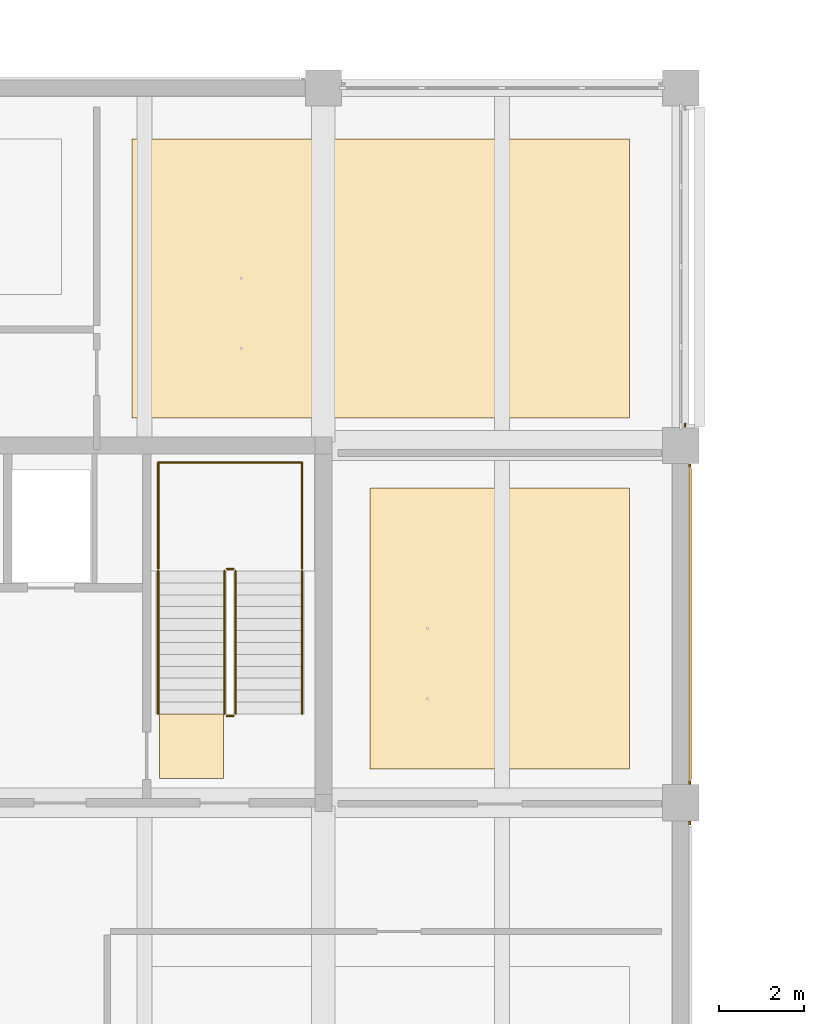
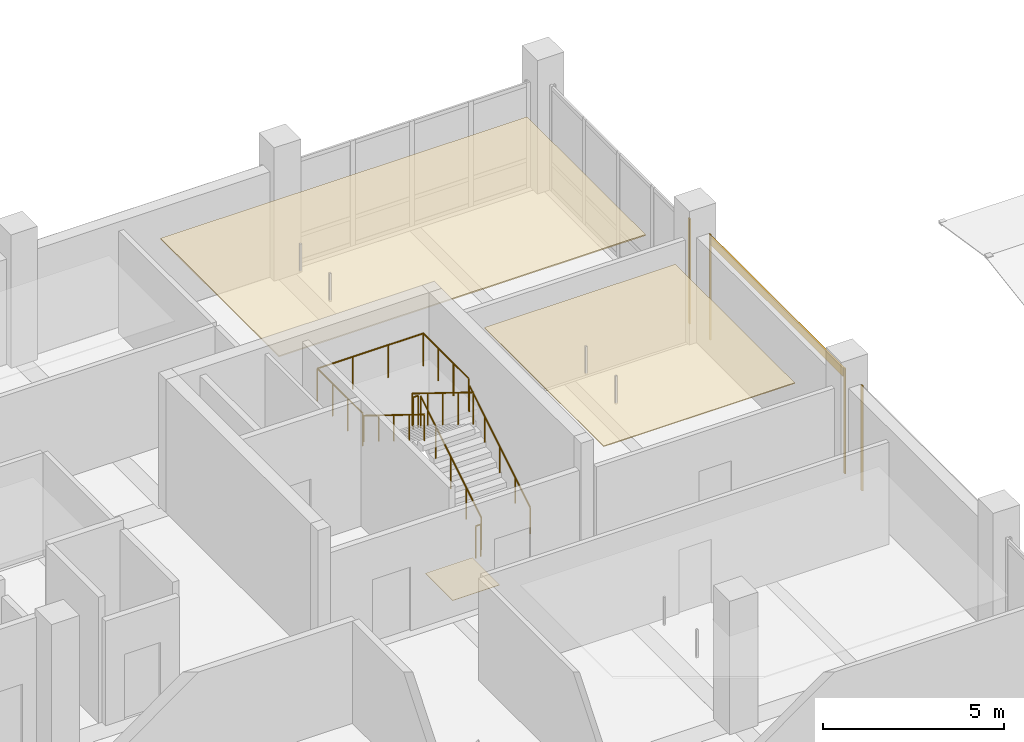
# One storey, part 38 of 39: 8 coverings, 7 railings.
"""IFC4 building model written with IfcOpenShell, lengths in metres."""

from ifc_helpers import new_model, si_unit, direction, frame, origin, origin_2d, place, context, subcontext, project, spatial, polyline, rectangle, circle, outline, extrude, material, layer, layer_set, type_object, element, save


model = new_model("IFC4")

# Units and contexts
model_context = context("Model", 3, precision=1e-05, world=origin(), true_north=direction((0.0, 1.0)))
body_context = subcontext(model_context, "Body", "Model", "MODEL_VIEW")
ifc_project = project(units=[si_unit("LENGTHUNIT", "METRE"), si_unit("AREAUNIT", "SQUARE_METRE"), si_unit("VOLUMEUNIT", "CUBIC_METRE"), si_unit("PLANEANGLEUNIT", "RADIAN"), si_unit("MASSUNIT", "GRAM", prefix="KILO")], contexts=[model_context])

# Site, building, storey
site_placement = place(None, origin())
site = spatial("IfcSite", under=ifc_project, at=site_placement, CompositionType="ELEMENT")
building_placement = place(site_placement, origin())
building = spatial("IfcBuilding", under=site, at=building_placement, Name="Telukmera Botanical Conservatory", CompositionType="ELEMENT")
storey_placement = place(building_placement, frame((0.0, 0.0, 19.5)))
storey = spatial("IfcBuildingStorey", under=building, at=storey_placement, Name="L04", CompositionType="ELEMENT", Elevation=19.5)

# Coverings
ifc_material_1 = material(Name="Mineral fibre acoustic ceiling")
ifc_layer_1 = layer(ifc_material_1, 0.030029296875)
ifc_layer_set_1 = layer_set([ifc_layer_1], Name="Mineral fibre acoustic ceiling")
covering_type_1 = type_object("IfcCoveringType", Name="COV-CEIL-30", PredefinedType="CEILING", material=ifc_layer_set_1)
covering_1_placement = place(storey_placement, frame((0.0, 0.0, 3.320068359375)))
element("IfcCovering", 1, at=covering_1_placement, inside=storey, type_object=covering_type_1, Name="L04 Herbarium Digitization Studio Suspended Acoustic Ceiling", PredefinedType="CEILING", context=body_context, shape_type="SweptSolid", body=[
    extrude(outline(polyline([(101.89990234375, 26.800048828125), (108.0, 26.800048828125), (108.0, 33.39990234375), (101.89990234375, 33.39990234375), (101.89990234375, 26.800048828125)])), origin(), (0.0, 0.0, 1.0), 0.030029296875),
])
ifc_material_2 = material(Name="Perforated gypsum acoustic ceiling")
ifc_layer_2 = layer(ifc_material_2, 0.0400390625)
ifc_layer_set_2 = layer_set([ifc_layer_2], Name="Perforated gypsum acoustic ceiling")
covering_type_2 = type_object("IfcCoveringType", Name="COV-CEIL-40", PredefinedType="CEILING", material=ifc_layer_set_2)
covering_2_placement = place(storey_placement, frame((0.0, 0.0, 3.31005859375)))
element("IfcCovering", 2, at=covering_2_placement, inside=storey, type_object=covering_type_2, Name="L04 Palynology Microscopy Laboratory Suspended Acoustic Ceiling", PredefinedType="CEILING", context=body_context, shape_type="SweptSolid", body=[
    extrude(outline(polyline([(96.300048828125, 35.050048828125), (108.0, 35.050048828125), (108.0, 41.60009765625), (96.300048828125, 41.60009765625), (96.300048828125, 35.050048828125)])), origin(), (0.0, 0.0, 1.0), 0.0400390625),
])
ifc_material_3 = material(Name="Honed granite non-slip flooring", Category="masonry")
ifc_layer_3 = layer(ifc_material_3, 0.011962890625)
ifc_layer_set_3 = layer_set([ifc_layer_3], Name="Honed granite non-slip flooring")
covering_type_3 = type_object("IfcCoveringType", Name="COV-FLR-12", PredefinedType="FLOORING", material=ifc_layer_set_3)
covering_3_placement = place(storey_placement, origin())
element("IfcCovering", 3, at=covering_3_placement, inside=storey, type_object=covering_type_3, Name="L04 ST2 Non-Slip Stair Landing Finish", PredefinedType="FLOORING", context=body_context, shape_type="SweptSolid", body=[
    extrude(outline(polyline([(98.449951171875, 26.570068359375), (98.449951171875, 28.0849609375), (96.949951171875, 28.0849609375), (96.949951171875, 26.570068359375), (98.449951171875, 26.570068359375)])), origin(), (0.0, 0.0, 1.0), 0.011962890625),
])
ifc_material_4 = material(Name="Granite-faced precast concrete C40/50", Category="masonry")
ifc_layer_4 = layer(ifc_material_4, 0.0400390625)
ifc_layer_set_4 = layer_set([ifc_layer_4], Name="Granite-faced precast concrete C40/50")
covering_type_4 = type_object("IfcCoveringType", Name="Granite Precast Column Pier Reveal Casing", PredefinedType="CLADDING", material=ifc_layer_set_4)
for number, where, z_axis, x_axis, name in (
    (4, (109.409912109375, 25.52294921875, 0.0), (0.0, 0.0, 1.0), (0.0, 1.0, 0.0), "Granite Pier Reveal V4:L04:E2 R"),
    (5, (109.409912109375, 26.47705078125, 0.0), (0.0, 0.0, 1.0), (0.0, 1.0, 0.0), "Granite Pier Reveal V4:L04:E3 L"),
    (6, (109.409912109375, 33.923095703125, 0.0), (0.0, 0.0, 1.0), (0.0, 1.0, 0.0), "Granite Pier Reveal V4:L04:E3 R"),
    (7, (109.300048828125, 34.876953125, 0.0), (0.0, 0.0, 1.0), (0.0, 1.0, 0.0), "Granite Pier Reveal V4:L04:E4 L"),
):
    element("IfcCovering", number, at=place(storey_placement, frame(where, z_axis=z_axis, x_axis=x_axis)), inside=storey, type_object=covering_type_4, Name=name, PredefinedType="CLADDING", context=body_context, shape_type="SweptSolid", body=[
        extrude(rectangle(XDim=0.080078125, YDim=0.0400390625, at=origin_2d()), origin(), (0.0, 0.0, 1.0), 3.550048828125),
    ])
ifc_material_5 = material(Name="Terracotta-faced precast concrete C40/50", Category="masonry")
ifc_layer_5 = layer(ifc_material_5, 0.06005859375)
ifc_layer_set_5 = layer_set([ifc_layer_5], Name="Terracotta-faced precast concrete C40/50")
covering_type_5 = type_object("IfcCoveringType", Name="Polychrome Terracotta Facade Band Cladding", PredefinedType="CLADDING", material=ifc_layer_set_5)
covering_4_placement = place(storey_placement, frame((109.419921875, 30.199951171875, 3.22998046875), z_axis=(0.0, 0.0, 1.0), x_axis=(0.0, 1.0, 0.0)))
element("IfcCovering", 8, at=covering_4_placement, inside=storey, type_object=covering_type_5, Name="Polychrome Terracotta Band V4:L04:E3", PredefinedType="CLADDING", context=body_context, shape_type="SweptSolid", body=[
    extrude(rectangle(XDim=7.305908203125, YDim=0.06005859375, at=origin_2d()), origin(), (0.0, 0.0, 1.0), 0.280029296875),
])

# Railings
ifc_material_6 = material(Name="Steel S355", Category="steel")
railing_type_1 = type_object("IfcRailingType", Name="RL-GUARD-1100", PredefinedType="GUARDRAIL", material=ifc_material_6)
railing_1_placement = place(storey_placement, frame((98.739990234375, 28.090087890625, 0.173095703125)))
element("IfcRailing", 9, at=railing_1_placement, inside=storey, type_object=railing_type_1, Name="L04 ST2 stair guard 1", PredefinedType="GUARDRAIL", context=body_context, shape_type="SweptSolid", body=[
    extrude(circle(Radius=0.02392578125, at=origin_2d()), frame((0.0, 0.0, 1.076171875), z_axis=(0.0, 0.850606129759, 0.525803396734), x_axis=(-1.0, 0.0, 0.0)), (0.0, 0.0, 1.0), 3.949951171875),
    extrude(circle(Radius=0.02099609375, at=origin_2d()), origin(), (0.0, 0.0, 1.0), 1.052001953125),
    extrude(circle(Radius=0.02099609375, at=origin_2d()), frame((0.0, 0.83984375, 0.519287109375)), (0.0, 0.0, 1.0), 1.052001953125),
    extrude(circle(Radius=0.02099609375, at=origin_2d()), frame((0.0, 1.679931640625, 1.03857421875)), (0.0, 0.0, 1.0), 1.052001953125),
    extrude(circle(Radius=0.02099609375, at=origin_2d()), frame((0.0, 2.52001953125, 1.5576171875)), (0.0, 0.0, 1.0), 1.052001953125),
    extrude(circle(Radius=0.02099609375, at=origin_2d()), frame((0.0, 3.35986328125, 2.076904296875)), (0.0, 0.0, 1.0), 1.052001953125),
])
railing_2_placement = place(storey_placement, frame((98.68994140625, 31.5, 2.25)))
element("IfcRailing", 10, at=railing_2_placement, inside=storey, type_object=railing_type_1, Name="L04 ST2 stair guard 2", PredefinedType="GUARDRAIL", context=body_context, shape_type="SweptSolid", body=[
    extrude(circle(Radius=0.02392578125, at=origin_2d()), frame((0.0, 0.0, 1.076171875), z_axis=(-1.0, 0.0, 0.0), x_axis=(0.0, -1.0, 0.0)), (0.0, 0.0, 1.0), 0.159912109375),
    extrude(circle(Radius=0.02099609375, at=origin_2d()), origin(), (0.0, 0.0, 1.0), 1.052001953125),
    extrude(circle(Radius=0.02099609375, at=origin_2d()), frame((-0.159912109375, 0.0, 0.0)), (0.0, 0.0, 1.0), 1.052001953125),
])
railing_3_placement = place(storey_placement, frame((98.47998046875, 31.449951171875, 2.423095703125)))
element("IfcRailing", 11, at=railing_3_placement, inside=storey, type_object=railing_type_1, Name="L04 ST2 stair guard 3", PredefinedType="GUARDRAIL", context=body_context, shape_type="SweptSolid", body=[
    extrude(circle(Radius=0.02392578125, at=origin_2d()), frame((0.0, 0.0, 1.076171875), z_axis=(0.0, -0.850606129759, 0.525803396734), x_axis=(1.0, 0.0, 0.0)), (0.0, 0.0, 1.0), 3.949951171875),
    extrude(circle(Radius=0.02099609375, at=origin_2d()), origin(), (0.0, 0.0, 1.0), 1.052001953125),
    extrude(circle(Radius=0.02099609375, at=origin_2d()), frame((0.0, -0.83984375, 0.519287109375)), (0.0, 0.0, 1.0), 1.052001953125),
    extrude(circle(Radius=0.02099609375, at=origin_2d()), frame((0.0, -1.679931640625, 1.03857421875)), (0.0, 0.0, 1.0), 1.052001953125),
    extrude(circle(Radius=0.02099609375, at=origin_2d()), frame((0.0, -2.52001953125, 1.5576171875)), (0.0, 0.0, 1.0), 1.052001953125),
    extrude(circle(Radius=0.02099609375, at=origin_2d()), frame((0.0, -3.35986328125, 2.076904296875)), (0.0, 0.0, 1.0), 1.052001953125),
])
railing_4_placement = place(storey_placement, frame((98.68994140625, 28.0400390625, 0.0)))
element("IfcRailing", 12, at=railing_4_placement, inside=storey, type_object=railing_type_1, Name="L04 ST2 stair guard 4", PredefinedType="GUARDRAIL", context=body_context, shape_type="SweptSolid", body=[
    extrude(circle(Radius=0.02392578125, at=origin_2d()), frame((0.0, 0.0, 1.076171875), z_axis=(-1.0, 0.0, 0.0), x_axis=(0.0, -1.0, 0.0)), (0.0, 0.0, 1.0), 0.159912109375),
    extrude(circle(Radius=0.02099609375, at=origin_2d()), origin(), (0.0, 0.0, 1.0), 1.052001953125),
    extrude(circle(Radius=0.02099609375, at=origin_2d()), frame((-0.159912109375, 0.0, 0.0)), (0.0, 0.0, 1.0), 1.052001953125),
])
railing_5_placement = place(storey_placement, frame((100.300048828125, 31.5, 2.25)))
element("IfcRailing", 13, at=railing_5_placement, inside=storey, type_object=railing_type_1, Name="L04 ST2 half-landing perimeter guard 1", PredefinedType="GUARDRAIL", context=body_context, shape_type="SweptSolid", body=[
    extrude(circle(Radius=0.02392578125, at=origin_2d()), frame((0.0, 0.0, 1.09619140625), z_axis=(0.0, 1.0, 0.0), x_axis=(-1.0, 0.0, 0.0)), (0.0, 0.0, 1.0), 2.5),
    extrude(circle(Radius=0.02392578125, at=origin_2d()), frame((0.0, 2.5, 1.09619140625), z_axis=(-1.0, 0.0, 0.0), x_axis=(0.0, -1.0, 0.0)), (0.0, 0.0, 1.0), 3.380126953125),
    extrude(circle(Radius=0.02392578125, at=origin_2d()), frame((-3.380126953125, 2.5, 1.09619140625), z_axis=(0.0, -1.0, 0.0), x_axis=(1.0, 0.0, 0.0)), (0.0, 0.0, 1.0), 2.5),
    extrude(circle(Radius=0.02099609375, at=origin_2d()), origin(), (0.0, 0.0, 1.0), 1.072021484375),
    extrude(circle(Radius=0.02099609375, at=origin_2d()), frame((0.0, 0.833251953125, 0.0)), (0.0, 0.0, 1.0), 1.072021484375),
    extrude(circle(Radius=0.02099609375, at=origin_2d()), frame((0.0, 1.666748046875, 0.0)), (0.0, 0.0, 1.0), 1.072021484375),
    extrude(circle(Radius=0.02099609375, at=origin_2d()), frame((0.0, 2.5, 0.0)), (0.0, 0.0, 1.0), 1.072021484375),
    extrude(circle(Radius=0.02099609375, at=origin_2d()), frame((-1.126708984375, 2.5, 0.0)), (0.0, 0.0, 1.0), 1.072021484375),
    extrude(circle(Radius=0.02099609375, at=origin_2d()), frame((-2.25341796875, 2.5, 0.0)), (0.0, 0.0, 1.0), 1.072021484375),
    extrude(circle(Radius=0.02099609375, at=origin_2d()), frame((-3.380126953125, 2.5, 0.0)), (0.0, 0.0, 1.0), 1.072021484375),
    extrude(circle(Radius=0.02099609375, at=origin_2d()), frame((-3.380126953125, 1.666748046875, 0.0)), (0.0, 0.0, 1.0), 1.072021484375),
    extrude(circle(Radius=0.02099609375, at=origin_2d()), frame((-3.380126953125, 0.833251953125, 0.0)), (0.0, 0.0, 1.0), 1.072021484375),
    extrude(circle(Radius=0.02099609375, at=origin_2d()), frame((-3.380126953125, 0.0, 0.0)), (0.0, 0.0, 1.0), 1.072021484375),
])
ifc_material_7 = material(Name="Stainless steel 316", Category="steel")
railing_type_2 = type_object("IfcRailingType", Name="RL-HAND-900", PredefinedType="HANDRAIL", material=ifc_material_7)
railing_6_placement = place(storey_placement, frame((100.300048828125, 28.090087890625, 0.173095703125)))
element("IfcRailing", 14, at=railing_6_placement, inside=storey, type_object=railing_type_2, Name="L04 ST2 stair handrail 1", PredefinedType="HANDRAIL", context=body_context, shape_type="SweptSolid", body=[
    extrude(circle(Radius=0.02392578125, at=origin_2d()), frame((0.0, 0.0, 0.8759765625), z_axis=(0.0, 0.850606129759, 0.525803396734), x_axis=(-1.0, 0.0, 0.0)), (0.0, 0.0, 1.0), 3.949951171875),
    extrude(circle(Radius=0.02099609375, at=origin_2d()), origin(), (0.0, 0.0, 1.0), 0.851806640625),
    extrude(circle(Radius=0.02099609375, at=origin_2d()), frame((0.0, 0.83984375, 0.519287109375)), (0.0, 0.0, 1.0), 0.851806640625),
    extrude(circle(Radius=0.02099609375, at=origin_2d()), frame((0.0, 1.679931640625, 1.03857421875)), (0.0, 0.0, 1.0), 0.851806640625),
    extrude(circle(Radius=0.02099609375, at=origin_2d()), frame((0.0, 2.52001953125, 1.5576171875)), (0.0, 0.0, 1.0), 0.851806640625),
    extrude(circle(Radius=0.02099609375, at=origin_2d()), frame((0.0, 3.35986328125, 2.076904296875)), (0.0, 0.0, 1.0), 0.851806640625),
])
railing_7_placement = place(storey_placement, frame((96.919921875, 31.449951171875, 2.423095703125)))
element("IfcRailing", 15, at=railing_7_placement, inside=storey, type_object=railing_type_2, Name="L04 ST2 stair handrail 2", PredefinedType="HANDRAIL", context=body_context, shape_type="SweptSolid", body=[
    extrude(circle(Radius=0.02392578125, at=origin_2d()), frame((0.0, 0.0, 0.8759765625), z_axis=(0.0, -0.850606129759, 0.525803396734), x_axis=(1.0, 0.0, 0.0)), (0.0, 0.0, 1.0), 3.949951171875),
    extrude(circle(Radius=0.02099609375, at=origin_2d()), origin(), (0.0, 0.0, 1.0), 0.851806640625),
    extrude(circle(Radius=0.02099609375, at=origin_2d()), frame((0.0, -0.83984375, 0.519287109375)), (0.0, 0.0, 1.0), 0.851806640625),
    extrude(circle(Radius=0.02099609375, at=origin_2d()), frame((0.0, -1.679931640625, 1.03857421875)), (0.0, 0.0, 1.0), 0.851806640625),
    extrude(circle(Radius=0.02099609375, at=origin_2d()), frame((0.0, -2.52001953125, 1.5576171875)), (0.0, 0.0, 1.0), 0.851806640625),
    extrude(circle(Radius=0.02099609375, at=origin_2d()), frame((0.0, -3.35986328125, 2.076904296875)), (0.0, 0.0, 1.0), 0.851806640625),
])

save(model, "model.ifc")
